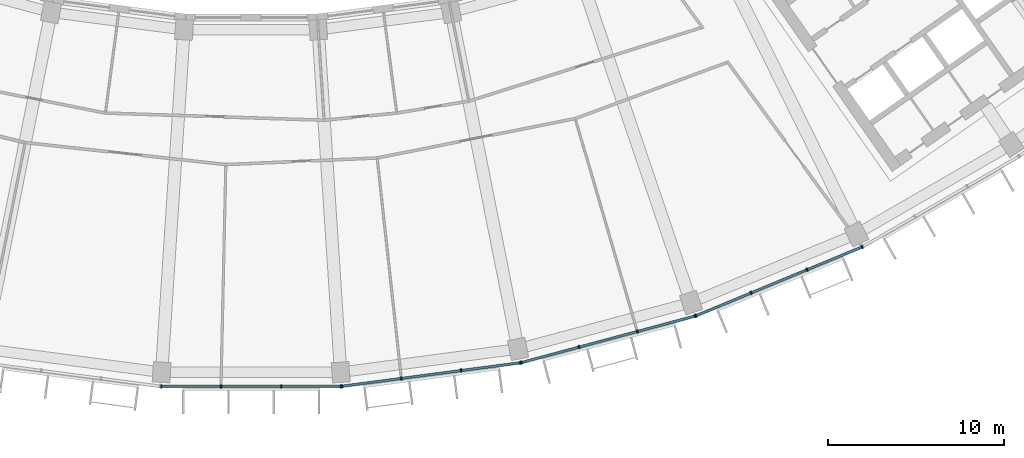
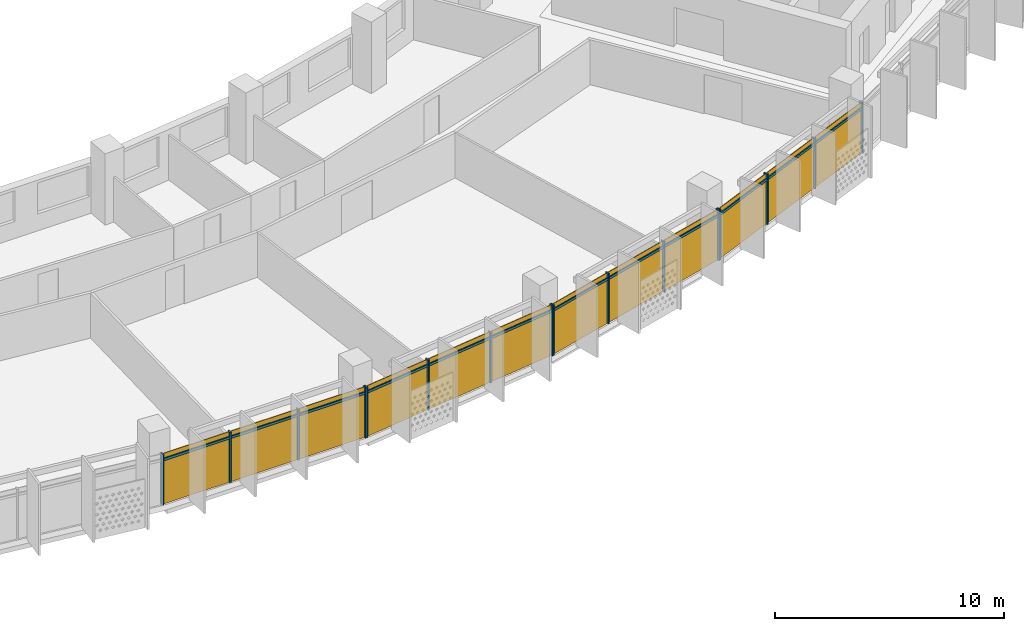
# One storey, part 20 of 28: 28 members, 4 curtain walls.
"""IFC4 building model written with IfcOpenShell, lengths in metres."""

from ifc_helpers import new_model, si_unit, direction, frame, origin, origin_2d, place, context, subcontext, project, spatial, rectangle, extrude, material, material_profile, profile_set, type_object, element, aggregate, save


model = new_model("IFC4")

# Units and contexts
model_context = context("Model", 3, precision=1e-05, world=origin(), true_north=direction((0.0, 1.0)))
body_context = subcontext(model_context, "Body", "Model", "MODEL_VIEW")
ifc_project = project(units=[si_unit("LENGTHUNIT", "METRE"), si_unit("AREAUNIT", "SQUARE_METRE"), si_unit("VOLUMEUNIT", "CUBIC_METRE"), si_unit("PLANEANGLEUNIT", "RADIAN"), si_unit("MASSUNIT", "GRAM", prefix="KILO")], contexts=[model_context])

# Member
ifc_material = material(Name="Aluminium 6063-T6 anodised", Category="aluminium")
ifc_material_profile_1 = material_profile(ifc_material, rectangle(XDim=0.199951171875, YDim=0.070068359375, at=origin_2d()))
ifc_profile_set_1 = profile_set([ifc_material_profile_1], Name="Aluminium 6063-T6 anodised")
member_type_1 = type_object("IfcMemberType", Name="Mullion 70 x 200 aluminium", PredefinedType="MULLION", material=ifc_profile_set_1)
site_placement = place(None, origin())
building_placement = place(site_placement, origin())
storey_placement = place(building_placement, frame((0.0, 0.0, 249.300048828125)))
member_1_placement = place(storey_placement, frame((-5.10888671875, -78.381591796875, 0.0), z_axis=(0.0, 0.0, 1.0), x_axis=(0.0, 1.0, 0.0)))
member_1 = element("IfcMember", 1, at=member_1_placement, type_object=member_type_1, Name="e-cw1-L60-out08/M00", PredefinedType="MULLION", context=body_context, shape_type="SweptSolid", body=[
    extrude(rectangle(XDim=0.199951171875, YDim=0.070068359375, at=origin_2d()), origin(), (0.0, 0.0, 1.0), 2.699951171875),
])

member_2_placement = place(storey_placement, frame((-1.714599609375, -78.381591796875, 0.0), z_axis=(0.0, 0.0, 1.0), x_axis=(0.0, 1.0, 0.0)))
member_2 = element("IfcMember", 2, at=member_2_placement, type_object=member_type_1, Name="e-cw1-L60-out08/M01", PredefinedType="MULLION", context=body_context, shape_type="SweptSolid", body=[
    extrude(rectangle(XDim=0.199951171875, YDim=0.070068359375, at=origin_2d()), origin(), (0.0, 0.0, 1.0), 2.699951171875),
])

member_3_placement = place(storey_placement, frame((1.714599609375, -78.381591796875, 0.0), z_axis=(0.0, 0.0, 1.0), x_axis=(0.0, 1.0, 0.0)))
member_3 = element("IfcMember", 3, at=member_3_placement, type_object=member_type_1, Name="e-cw1-L60-out08/M02", PredefinedType="MULLION", context=body_context, shape_type="SweptSolid", body=[
    extrude(rectangle(XDim=0.199951171875, YDim=0.070068359375, at=origin_2d()), origin(), (0.0, 0.0, 1.0), 2.699951171875),
])

member_4_placement = place(storey_placement, frame((5.10888671875, -78.381591796875, 0.0), z_axis=(0.0, 0.0, 1.0), x_axis=(0.0, 1.0, 0.0)))
member_4 = element("IfcMember", 4, at=member_4_placement, type_object=member_type_1, Name="e-cw1-L60-out08/M03", PredefinedType="MULLION", context=body_context, shape_type="SweptSolid", body=[
    extrude(rectangle(XDim=0.199951171875, YDim=0.070068359375, at=origin_2d()), origin(), (0.0, 0.0, 1.0), 2.699951171875),
])

member_5_placement = place(storey_placement, frame((5.16552734375, -78.3779296875, 0.0), z_axis=(0.0, 0.0, 1.0), x_axis=(-0.13052619222, 0.991444861374, 0.0)))
member_5 = element("IfcMember", 5, at=member_5_placement, type_object=member_type_1, Name="e-cw1-L60-out09/M00", PredefinedType="MULLION", context=body_context, shape_type="SweptSolid", body=[
    extrude(rectangle(XDim=0.199951171875, YDim=0.070068359375, at=origin_2d()), origin(), (0.0, 0.0, 1.0), 2.699951171875),
])

member_6_placement = place(storey_placement, frame((8.53076171875, -77.934814453125, 0.0), z_axis=(0.0, 0.0, 1.0), x_axis=(-0.13052619222, 0.991444861374, 0.0)))
member_6 = element("IfcMember", 6, at=member_6_placement, type_object=member_type_1, Name="e-cw1-L60-out09/M01", PredefinedType="MULLION", context=body_context, shape_type="SweptSolid", body=[
    extrude(rectangle(XDim=0.199951171875, YDim=0.070068359375, at=origin_2d()), origin(), (0.0, 0.0, 1.0), 2.699951171875),
])

member_7_placement = place(storey_placement, frame((11.930908203125, -77.4873046875, 0.0), z_axis=(0.0, 0.0, 1.0), x_axis=(-0.13052619222, 0.991444861374, 0.0)))
member_7 = element("IfcMember", 7, at=member_7_placement, type_object=member_type_1, Name="e-cw1-L60-out09/M02", PredefinedType="MULLION", context=body_context, shape_type="SweptSolid", body=[
    extrude(rectangle(XDim=0.199951171875, YDim=0.070068359375, at=origin_2d()), origin(), (0.0, 0.0, 1.0), 2.699951171875),
])

member_8_placement = place(storey_placement, frame((15.296142578125, -77.044189453125, 0.0), z_axis=(0.0, 0.0, 1.0), x_axis=(-0.13052619222, 0.991444861374, 0.0)))
member_8 = element("IfcMember", 8, at=member_8_placement, type_object=member_type_1, Name="e-cw1-L60-out09/M03", PredefinedType="MULLION", context=body_context, shape_type="SweptSolid", body=[
    extrude(rectangle(XDim=0.199951171875, YDim=0.070068359375, at=origin_2d()), origin(), (0.0, 0.0, 1.0), 2.699951171875),
])

member_9_placement = place(storey_placement, frame((15.351806640625, -77.033203125, 0.0), z_axis=(0.0, 0.0, 1.0), x_axis=(-0.258819045103, 0.965925826289, 0.0)))
member_9 = element("IfcMember", 9, at=member_9_placement, type_object=member_type_1, Name="e-cw1-L60-out10/M00", PredefinedType="MULLION", context=body_context, shape_type="SweptSolid", body=[
    extrude(rectangle(XDim=0.199951171875, YDim=0.070068359375, at=origin_2d()), origin(), (0.0, 0.0, 1.0), 2.699951171875),
])

member_10_placement = place(storey_placement, frame((18.63037109375, -76.154541015625, 0.0), z_axis=(0.0, 0.0, 1.0), x_axis=(-0.258819045103, 0.965925826289, 0.0)))
member_10 = element("IfcMember", 10, at=member_10_placement, type_object=member_type_1, Name="e-cw1-L60-out10/M01", PredefinedType="MULLION", context=body_context, shape_type="SweptSolid", body=[
    extrude(rectangle(XDim=0.199951171875, YDim=0.070068359375, at=origin_2d()), origin(), (0.0, 0.0, 1.0), 2.699951171875),
])

member_11_placement = place(storey_placement, frame((21.94287109375, -75.26708984375, 0.0), z_axis=(0.0, 0.0, 1.0), x_axis=(-0.258819045103, 0.965925826289, 0.0)))
member_11 = element("IfcMember", 11, at=member_11_placement, type_object=member_type_1, Name="e-cw1-L60-out10/M02", PredefinedType="MULLION", context=body_context, shape_type="SweptSolid", body=[
    extrude(rectangle(XDim=0.199951171875, YDim=0.070068359375, at=origin_2d()), origin(), (0.0, 0.0, 1.0), 2.699951171875),
])

member_12_placement = place(storey_placement, frame((25.221435546875, -74.388427734375, 0.0), z_axis=(0.0, 0.0, 1.0), x_axis=(-0.258819045103, 0.965925826289, 0.0)))
member_12 = element("IfcMember", 12, at=member_12_placement, type_object=member_type_1, Name="e-cw1-L60-out10/M03", PredefinedType="MULLION", context=body_context, shape_type="SweptSolid", body=[
    extrude(rectangle(XDim=0.199951171875, YDim=0.070068359375, at=origin_2d()), origin(), (0.0, 0.0, 1.0), 2.699951171875),
])

member_13_placement = place(storey_placement, frame((25.275390625, -74.370361328125, 0.0), z_axis=(0.0, 0.0, 1.0), x_axis=(-0.382683432365, 0.923879532511, 0.0)))
member_13 = element("IfcMember", 13, at=member_13_placement, type_object=member_type_1, Name="e-cw1-L60-out11/M00", PredefinedType="MULLION", context=body_context, shape_type="SweptSolid", body=[
    extrude(rectangle(XDim=0.199951171875, YDim=0.070068359375, at=origin_2d()), origin(), (0.0, 0.0, 1.0), 2.699951171875),
])

member_14_placement = place(storey_placement, frame((28.4111328125, -73.0712890625, 0.0), z_axis=(0.0, 0.0, 1.0), x_axis=(-0.382683432365, 0.923879532511, 0.0)))
member_14 = element("IfcMember", 14, at=member_14_placement, type_object=member_type_1, Name="e-cw1-L60-out11/M01", PredefinedType="MULLION", context=body_context, shape_type="SweptSolid", body=[
    extrude(rectangle(XDim=0.199951171875, YDim=0.070068359375, at=origin_2d()), origin(), (0.0, 0.0, 1.0), 2.699951171875),
])

member_15_placement = place(storey_placement, frame((31.57958984375, -71.759033203125, 0.0), z_axis=(0.0, 0.0, 1.0), x_axis=(-0.382683432365, 0.923879532511, 0.0)))
member_15 = element("IfcMember", 15, at=member_15_placement, type_object=member_type_1, Name="e-cw1-L60-out11/M02", PredefinedType="MULLION", context=body_context, shape_type="SweptSolid", body=[
    extrude(rectangle(XDim=0.199951171875, YDim=0.070068359375, at=origin_2d()), origin(), (0.0, 0.0, 1.0), 2.699951171875),
])

member_16_placement = place(storey_placement, frame((34.71533203125, -70.4599609375, 0.0), z_axis=(0.0, 0.0, 1.0), x_axis=(-0.382683432365, 0.923879532511, 0.0)))
member_16 = element("IfcMember", 16, at=member_16_placement, type_object=member_type_1, Name="e-cw1-L60-out11/M03", PredefinedType="MULLION", context=body_context, shape_type="SweptSolid", body=[
    extrude(rectangle(XDim=0.199951171875, YDim=0.070068359375, at=origin_2d()), origin(), (0.0, 0.0, 1.0), 2.699951171875),
])

ifc_material_profile_2 = material_profile(ifc_material, rectangle(XDim=0.139892578125, YDim=0.1201171875, at=origin_2d()))
ifc_profile_set_2 = profile_set([ifc_material_profile_2], Name="Aluminium 6063-T6 anodised")
member_type_2 = type_object("IfcMemberType", Name="Transom 120 x 140 aluminium", PredefinedType="USERDEFINED", material=ifc_profile_set_2)
member_17_placement = place(storey_placement, frame((-5.073974609375, -78.381591796875, 2.39990234375), z_axis=(1.0, 0.0, 0.0), x_axis=(0.0, 1.0, 0.0)))
member_17 = element("IfcMember", 17, at=member_17_placement, type_object=member_type_2, Name="e-cw1-L60-out08/T00", ObjectType="TRANSOM", PredefinedType="USERDEFINED", context=body_context, shape_type="SweptSolid", body=[
    extrude(rectangle(XDim=0.139892578125, YDim=0.1201171875, at=origin_2d()), origin(), (0.0, 0.0, 1.0), 3.32421875),
])

member_18_placement = place(storey_placement, frame((-1.6796875, -78.381591796875, 2.39990234375), z_axis=(1.0, 0.0, 0.0), x_axis=(0.0, 1.0, 0.0)))
member_18 = element("IfcMember", 18, at=member_18_placement, type_object=member_type_2, Name="e-cw1-L60-out08/T01", ObjectType="TRANSOM", PredefinedType="USERDEFINED", context=body_context, shape_type="SweptSolid", body=[
    extrude(rectangle(XDim=0.139892578125, YDim=0.1201171875, at=origin_2d()), origin(), (0.0, 0.0, 1.0), 3.359375),
])

member_19_placement = place(storey_placement, frame((1.749755859375, -78.381591796875, 2.39990234375), z_axis=(1.0, 0.0, 0.0), x_axis=(0.0, 1.0, 0.0)))
member_19 = element("IfcMember", 19, at=member_19_placement, type_object=member_type_2, Name="e-cw1-L60-out08/T02", ObjectType="TRANSOM", PredefinedType="USERDEFINED", context=body_context, shape_type="SweptSolid", body=[
    extrude(rectangle(XDim=0.139892578125, YDim=0.1201171875, at=origin_2d()), origin(), (0.0, 0.0, 1.0), 3.32421875),
])

member_20_placement = place(storey_placement, frame((5.2001953125, -78.373291015625, 2.39990234375), z_axis=(0.991447795146, 0.130503906072, 0.0), x_axis=(-0.130503906072, 0.991447795146, 0.0)))
member_20 = element("IfcMember", 20, at=member_20_placement, type_object=member_type_2, Name="e-cw1-L60-out09/T00", ObjectType="TRANSOM", PredefinedType="USERDEFINED", context=body_context, shape_type="SweptSolid", body=[
    extrude(rectangle(XDim=0.139892578125, YDim=0.1201171875, at=origin_2d()), origin(), (0.0, 0.0, 1.0), 3.32421875),
])

member_21_placement = place(storey_placement, frame((8.565673828125, -77.93017578125, 2.39990234375), z_axis=(0.991444893088, 0.130525951326, 0.0), x_axis=(-0.130525951326, 0.991444893088, 0.0)))
member_21 = element("IfcMember", 21, at=member_21_placement, type_object=member_type_2, Name="e-cw1-L60-out09/T01", ObjectType="TRANSOM", PredefinedType="USERDEFINED", context=body_context, shape_type="SweptSolid", body=[
    extrude(rectangle(XDim=0.139892578125, YDim=0.1201171875, at=origin_2d()), origin(), (0.0, 0.0, 1.0), 3.359375),
])

member_22_placement = place(storey_placement, frame((11.965576171875, -77.482666015625, 2.39990234375), z_axis=(0.991447795146, 0.130503906072, 0.0), x_axis=(-0.130503906072, 0.991447795146, 0.0)))
member_22 = element("IfcMember", 22, at=member_22_placement, type_object=member_type_2, Name="e-cw1-L60-out09/T02", ObjectType="TRANSOM", PredefinedType="USERDEFINED", context=body_context, shape_type="SweptSolid", body=[
    extrude(rectangle(XDim=0.139892578125, YDim=0.1201171875, at=origin_2d()), origin(), (0.0, 0.0, 1.0), 3.32421875),
])

member_23_placement = place(storey_placement, frame((15.385498046875, -77.024169921875, 2.39990234375), z_axis=(0.965913629723, 0.258864559019, 0.0), x_axis=(-0.258864559019, 0.965913629723, 0.0)))
member_23 = element("IfcMember", 23, at=member_23_placement, type_object=member_type_2, Name="e-cw1-L60-out10/T00", ObjectType="TRANSOM", PredefinedType="USERDEFINED", context=body_context, shape_type="SweptSolid", body=[
    extrude(rectangle(XDim=0.139892578125, YDim=0.1201171875, at=origin_2d()), origin(), (0.0, 0.0, 1.0), 3.324462890625),
])

member_24_placement = place(storey_placement, frame((18.664306640625, -76.1455078125, 2.39990234375), z_axis=(0.965931507774, 0.258797840582, 0.0), x_axis=(-0.258797840582, 0.965931507774, 0.0)))
member_24 = element("IfcMember", 24, at=member_24_placement, type_object=member_type_2, Name="e-cw1-L60-out10/T01", ObjectType="TRANSOM", PredefinedType="USERDEFINED", context=body_context, shape_type="SweptSolid", body=[
    extrude(rectangle(XDim=0.139892578125, YDim=0.1201171875, at=origin_2d()), origin(), (0.0, 0.0, 1.0), 3.359375),
])

member_25_placement = place(storey_placement, frame((21.976806640625, -75.258056640625, 2.39990234375), z_axis=(0.965908708139, 0.25888292246, 0.0), x_axis=(-0.25888292246, 0.965908708139, 0.0)))
member_25 = element("IfcMember", 25, at=member_25_placement, type_object=member_type_2, Name="e-cw1-L60-out10/T02", ObjectType="TRANSOM", PredefinedType="USERDEFINED", context=body_context, shape_type="SweptSolid", body=[
    extrude(rectangle(XDim=0.139892578125, YDim=0.1201171875, at=origin_2d()), origin(), (0.0, 0.0, 1.0), 3.32421875),
])

member_26_placement = place(storey_placement, frame((25.3076171875, -74.35693359375, 2.39990234375), z_axis=(0.923874511193, 0.382695554676, 0.0), x_axis=(-0.382695554676, 0.923874511193, 0.0)))
member_26 = element("IfcMember", 26, at=member_26_placement, type_object=member_type_2, Name="e-cw1-L60-out11/T00", ObjectType="TRANSOM", PredefinedType="USERDEFINED", context=body_context, shape_type="SweptSolid", body=[
    extrude(rectangle(XDim=0.139892578125, YDim=0.1201171875, at=origin_2d()), origin(), (0.0, 0.0, 1.0), 3.324462890625),
])

member_27_placement = place(storey_placement, frame((28.443603515625, -73.057861328125, 2.39990234375), z_axis=(0.923891938088, 0.38265348128, 0.0), x_axis=(-0.38265348128, 0.923891938088, 0.0)))
member_27 = element("IfcMember", 27, at=member_27_placement, type_object=member_type_2, Name="e-cw1-L60-out11/T01", ObjectType="TRANSOM", PredefinedType="USERDEFINED", context=body_context, shape_type="SweptSolid", body=[
    extrude(rectangle(XDim=0.139892578125, YDim=0.1201171875, at=origin_2d()), origin(), (0.0, 0.0, 1.0), 3.359130859375),
])

member_28_placement = place(storey_placement, frame((31.61181640625, -71.74560546875, 2.39990234375), z_axis=(0.923874511193, 0.382695554676, 0.0), x_axis=(-0.382695554676, 0.923874511193, 0.0)))
member_28 = element("IfcMember", 28, at=member_28_placement, type_object=member_type_2, Name="e-cw1-L60-out11/T02", ObjectType="TRANSOM", PredefinedType="USERDEFINED", context=body_context, shape_type="SweptSolid", body=[
    extrude(rectangle(XDim=0.139892578125, YDim=0.1201171875, at=origin_2d()), origin(), (0.0, 0.0, 1.0), 3.324462890625),
])

# Site, building, storey
site = spatial("IfcSite", under=ifc_project, at=site_placement, CompositionType="ELEMENT")
building = spatial("IfcBuilding", under=site, at=building_placement, Name="Qamariyya Broadcast Tower", CompositionType="ELEMENT")
storey = spatial("IfcBuildingStorey", under=building, at=storey_placement, Name="L60", CompositionType="ELEMENT", Elevation=249.300048828125)

# Curtain wall
curtain_wall_type = type_object("IfcCurtainWallType", Name="Unitised curtain wall, anodised aluminium", PredefinedType="NOTDEFINED", material=ifc_material)
curtain_wall_1_placement = place(storey_placement, origin())
curtain_wall_1 = element("IfcCurtainWall", 29, at=curtain_wall_1_placement, inside=storey, type_object=curtain_wall_type, Name="e-cw1-L60-out08", PredefinedType="NOTDEFINED", context=body_context, shape_type="SweptSolid", body=[
    extrude(rectangle(XDim=3.324462890625, YDim=0.031982421875, at=origin_2d()), frame((-3.411865234375, -78.381591796875, 0.0), x_axis=(1.0, 0.0, 0.0)), (0.0, 0.0, 1.0), 2.340087890625),
    extrude(rectangle(XDim=3.324462890625, YDim=0.031982421875, at=origin_2d()), frame((-3.411865234375, -78.381591796875, 2.4599609375), x_axis=(1.0, 0.0, 0.0)), (0.0, 0.0, 1.0), 0.239990234375),
    extrude(rectangle(XDim=3.359375, YDim=0.031982421875, at=origin_2d()), frame((0.0, -78.381591796875, 0.0), x_axis=(1.0, 0.0, 0.0)), (0.0, 0.0, 1.0), 2.340087890625),
    extrude(rectangle(XDim=3.359375, YDim=0.031982421875, at=origin_2d()), frame((0.0, -78.381591796875, 2.4599609375), x_axis=(1.0, 0.0, 0.0)), (0.0, 0.0, 1.0), 0.239990234375),
    extrude(rectangle(XDim=3.324462890625, YDim=0.031982421875, at=origin_2d()), frame((3.411865234375, -78.381591796875, 0.0), x_axis=(1.0, 0.0, 0.0)), (0.0, 0.0, 1.0), 2.340087890625),
    extrude(rectangle(XDim=3.324462890625, YDim=0.031982421875, at=origin_2d()), frame((3.411865234375, -78.381591796875, 2.4599609375), x_axis=(1.0, 0.0, 0.0)), (0.0, 0.0, 1.0), 0.239990234375),
])

aggregate(curtain_wall_1, [member_1, member_2, member_3, member_4, member_17, member_18, member_19])

curtain_wall_2_placement = place(storey_placement, origin())
curtain_wall_2 = element("IfcCurtainWall", 30, at=curtain_wall_2_placement, inside=storey, type_object=curtain_wall_type, Name="e-cw1-L60-out09", PredefinedType="NOTDEFINED", context=body_context, shape_type="SweptSolid", body=[
    extrude(rectangle(XDim=3.32421875, YDim=0.031982421875, at=origin_2d()), frame((6.84814453125, -78.156494140625, 0.0), x_axis=(0.991442741341, 0.130542294457, 0.0)), (0.0, 0.0, 1.0), 2.340087890625),
    extrude(rectangle(XDim=3.32421875, YDim=0.031982421875, at=origin_2d()), frame((6.84814453125, -78.156494140625, 2.4599609375), x_axis=(0.991442741341, 0.130542294457, 0.0)), (0.0, 0.0, 1.0), 0.239990234375),
    extrude(rectangle(XDim=3.359375, YDim=0.031982421875, at=origin_2d()), frame((10.23095703125, -77.7109375, 0.0), x_axis=(0.991442741341, 0.130542294457, 0.0)), (0.0, 0.0, 1.0), 2.340087890625),
    extrude(rectangle(XDim=3.359375, YDim=0.031982421875, at=origin_2d()), frame((10.23095703125, -77.7109375, 2.4599609375), x_axis=(0.991442741341, 0.130542294457, 0.0)), (0.0, 0.0, 1.0), 0.239990234375),
    extrude(rectangle(XDim=3.32421875, YDim=0.031982421875, at=origin_2d()), frame((13.613525390625, -77.265625, 0.0), x_axis=(0.991442741341, 0.130542294457, 0.0)), (0.0, 0.0, 1.0), 2.340087890625),
    extrude(rectangle(XDim=3.32421875, YDim=0.031982421875, at=origin_2d()), frame((13.613525390625, -77.265625, 2.4599609375), x_axis=(0.991442741341, 0.130542294457, 0.0)), (0.0, 0.0, 1.0), 0.239990234375),
])

aggregate(curtain_wall_2, [member_5, member_6, member_7, member_8, member_20, member_21, member_22])

curtain_wall_3_placement = place(storey_placement, origin())
curtain_wall_3 = element("IfcCurtainWall", 31, at=curtain_wall_3_placement, inside=storey, type_object=curtain_wall_type, Name="e-cw1-L60-out10", PredefinedType="NOTDEFINED", context=body_context, shape_type="SweptSolid", body=[
    extrude(rectangle(XDim=3.324462890625, YDim=0.031982421875, at=origin_2d()), frame((16.990966796875, -76.593994140625, 0.0), x_axis=(0.965923476514, 0.258827814424, 0.0)), (0.0, 0.0, 1.0), 2.340087890625),
    extrude(rectangle(XDim=3.324462890625, YDim=0.031982421875, at=origin_2d()), frame((16.990966796875, -76.593994140625, 2.4599609375), x_axis=(0.965923476514, 0.258827814424, 0.0)), (0.0, 0.0, 1.0), 0.239990234375),
    extrude(rectangle(XDim=3.359375, YDim=0.031982421875, at=origin_2d()), frame((20.28662109375, -75.7109375, 0.0), x_axis=(0.965923476514, 0.258827814424, 0.0)), (0.0, 0.0, 1.0), 2.340087890625),
    extrude(rectangle(XDim=3.359375, YDim=0.031982421875, at=origin_2d()), frame((20.28662109375, -75.7109375, 2.4599609375), x_axis=(0.965923476514, 0.258827814424, 0.0)), (0.0, 0.0, 1.0), 0.239990234375),
    extrude(rectangle(XDim=3.324462890625, YDim=0.031982421875, at=origin_2d()), frame((23.582275390625, -74.82763671875, 0.0), x_axis=(0.965923476514, 0.258827814424, 0.0)), (0.0, 0.0, 1.0), 2.340087890625),
    extrude(rectangle(XDim=3.324462890625, YDim=0.031982421875, at=origin_2d()), frame((23.582275390625, -74.82763671875, 2.4599609375), x_axis=(0.965923476514, 0.258827814424, 0.0)), (0.0, 0.0, 1.0), 0.239990234375),
])

aggregate(curtain_wall_3, [member_9, member_10, member_11, member_12, member_23, member_24, member_25])

curtain_wall_4_placement = place(storey_placement, origin())
curtain_wall_4 = element("IfcCurtainWall", 32, at=curtain_wall_4_placement, inside=storey, type_object=curtain_wall_type, Name="e-cw1-L60-out11", PredefinedType="NOTDEFINED", context=body_context, shape_type="SweptSolid", body=[
    extrude(rectangle(XDim=3.32421875, YDim=0.031982421875, at=origin_2d()), frame((26.84326171875, -73.720703125, 0.0), x_axis=(0.923880895135, 0.382680142683, 0.0)), (0.0, 0.0, 1.0), 2.340087890625),
    extrude(rectangle(XDim=3.32421875, YDim=0.031982421875, at=origin_2d()), frame((26.84326171875, -73.720703125, 2.4599609375), x_axis=(0.923880895135, 0.382680142683, 0.0)), (0.0, 0.0, 1.0), 0.239990234375),
    extrude(rectangle(XDim=3.359375, YDim=0.031982421875, at=origin_2d()), frame((29.995361328125, -72.4150390625, 0.0), x_axis=(0.923880895135, 0.382680142683, 0.0)), (0.0, 0.0, 1.0), 2.340087890625),
    extrude(rectangle(XDim=3.359375, YDim=0.031982421875, at=origin_2d()), frame((29.995361328125, -72.4150390625, 2.4599609375), x_axis=(0.923880895135, 0.382680142683, 0.0)), (0.0, 0.0, 1.0), 0.239990234375),
    extrude(rectangle(XDim=3.32421875, YDim=0.031982421875, at=origin_2d()), frame((33.1474609375, -71.109375, 0.0), x_axis=(0.923880895135, 0.382680142683, 0.0)), (0.0, 0.0, 1.0), 2.340087890625),
    extrude(rectangle(XDim=3.32421875, YDim=0.031982421875, at=origin_2d()), frame((33.1474609375, -71.109375, 2.4599609375), x_axis=(0.923880895135, 0.382680142683, 0.0)), (0.0, 0.0, 1.0), 0.239990234375),
])

aggregate(curtain_wall_4, [member_13, member_14, member_15, member_16, member_26, member_27, member_28])

save(model, "model.ifc")
